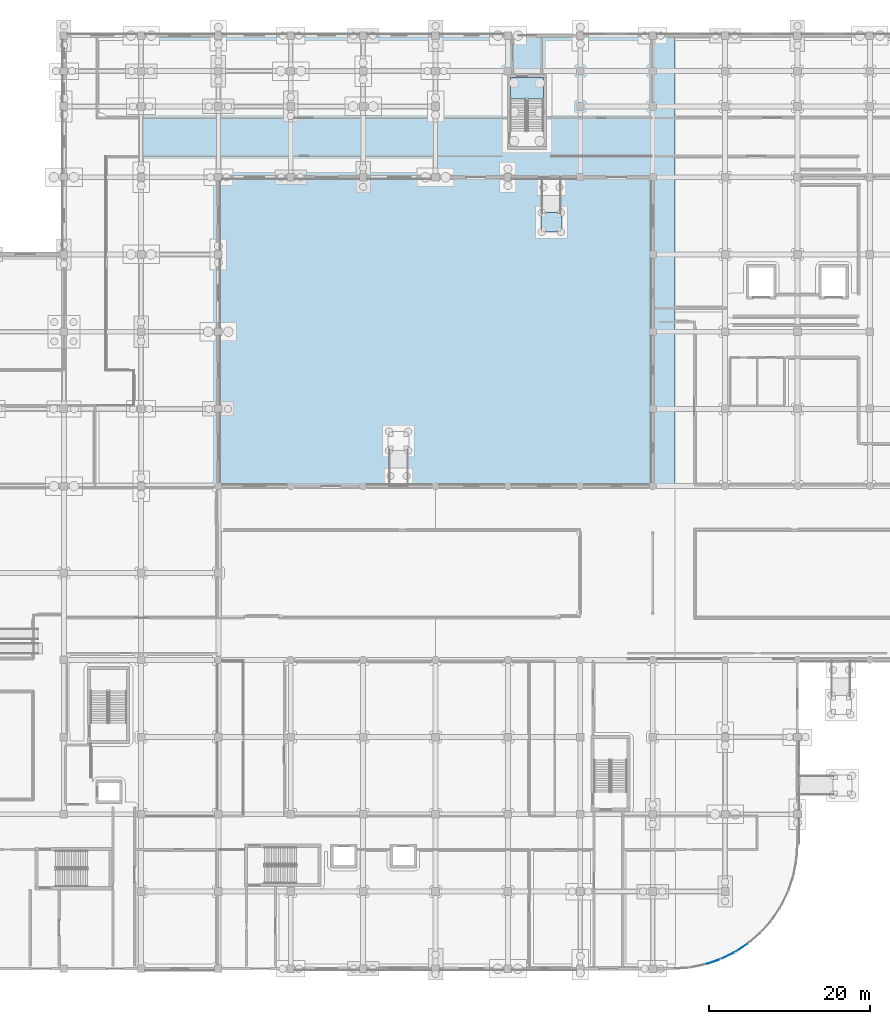
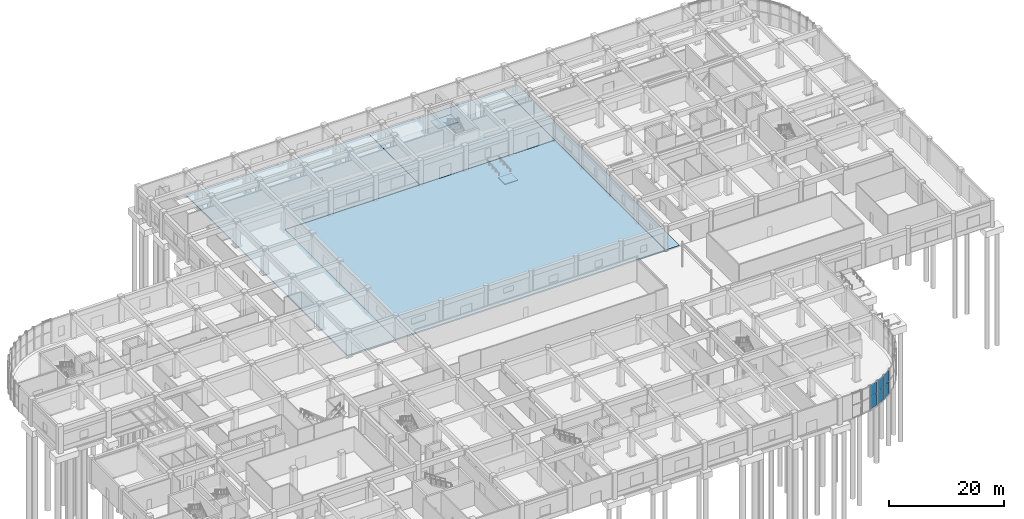
# One storey, part 22 of 74: 6 plates, 6 slabs, 5 elements without a shape of their own.
"""IFC4 building model written with IfcOpenShell, lengths in metres."""

from ifc_helpers import new_model, si_unit, direction, frame, origin, origin_2d, place, context, subcontext, project, spatial, polyline, rectangle, outline, extrude, material, layer, layer_set, type_object, element, aggregate, save


model = new_model("IFC4")

# Units and contexts
model_context = context("Model", 3, precision=1e-05, world=origin(), true_north=direction((0.0, 1.0)))
body_context = subcontext(model_context, "Body", "Model", "MODEL_VIEW")
ifc_project = project(units=[si_unit("LENGTHUNIT", "METRE"), si_unit("AREAUNIT", "SQUARE_METRE"), si_unit("VOLUMEUNIT", "CUBIC_METRE"), si_unit("PLANEANGLEUNIT", "RADIAN"), si_unit("MASSUNIT", "GRAM", prefix="KILO")], contexts=[model_context])

# Site, building, storey
site_placement = place(None, origin())
site = spatial("IfcSite", under=ifc_project, at=site_placement, CompositionType="ELEMENT")
building_placement = place(site_placement, origin())
building = spatial("IfcBuilding", under=site, at=building_placement, Name="Cendralis Terraced Arcade", CompositionType="ELEMENT")
storey_placement = place(building_placement, origin())
storey = spatial("IfcBuildingStorey", under=building, at=storey_placement, Name="L00", CompositionType="ELEMENT", Elevation=0.0)

# Curtain wall, plates
ifc_material_1 = material(Name="Anodised aluminium EN AW-6063 T6", Category="aluminium")
ifc_layer_1 = layer(ifc_material_1, 0.139892578125, Name="CW-STORE-A")
ifc_layer_set_1 = layer_set([ifc_layer_1], Name="Anodised aluminium EN AW-6063 T6")
curtain_wall_type = type_object("IfcCurtainWallType", Name="CW-STORE-A", PredefinedType="USERDEFINED", material=ifc_layer_set_1)
curtain_wall_1_placement = place(storey_placement, origin())
curtain_wall_1 = element("IfcCurtainWall", 1, at=curtain_wall_1_placement, inside=storey, type_object=curtain_wall_type, Name="Exterior Storefront Glazing CW-L00-0008", ObjectType="STOREFRONT GLAZING", PredefinedType="USERDEFINED")
ifc_material_2 = material(Name="Tempered solar control laminated glass", Category="glass")
ifc_layer_2 = layer(ifc_material_2, 0.028076171875, Name="CW-STORE-A-PNL")
ifc_layer_set_2 = layer_set([ifc_layer_2], Name="Tempered solar control laminated glass")
plate_type = type_object("IfcPlateType", Name="CW-STORE-A-PNL", PredefinedType="CURTAIN_PANEL", material=ifc_layer_set_2)
plate_1_placement = place(storey_placement, frame((132.29296875, 2.639892578125, 0.06005859375), z_axis=(0.0, 0.0, 1.0), x_axis=(-0.831483619587, -0.555549269065, 0.0)))
plate_1 = element("IfcPlate", 2, at=plate_1_placement, type_object=plate_type, Name="CW-S1 panel 1.1", PredefinedType="CURTAIN_PANEL", context=body_context, shape_type="SweptSolid", body=[
    extrude(rectangle(XDim=1.7275390625, YDim=0.028076171875, at=origin_2d()), origin(), (0.0, 0.0, 1.0), 2.556884765625),
])
plate_2_placement = place(storey_placement, frame((132.29296875, 2.639892578125, 2.6767578125), z_axis=(0.0, 0.0, 1.0), x_axis=(-0.831483619587, -0.555549269065, 0.0)))
plate_2 = element("IfcPlate", 3, at=plate_2_placement, type_object=plate_type, Name="CW-S1 panel 1.2", PredefinedType="CURTAIN_PANEL", context=body_context, shape_type="SweptSolid", body=[
    extrude(rectangle(XDim=1.7275390625, YDim=0.028076171875, at=origin_2d()), origin(), (0.0, 0.0, 1.0), 2.353271484375),
])
aggregate(curtain_wall_1, [plate_1, plate_2])

curtain_wall_2_placement = place(storey_placement, origin())
curtain_wall_2 = element("IfcCurtainWall", 4, at=curtain_wall_2_placement, inside=storey, type_object=curtain_wall_type, Name="Exterior Storefront Glazing CW-L00-0009", ObjectType="STOREFRONT GLAZING", PredefinedType="USERDEFINED")
plate_3_placement = place(storey_placement, frame((130.540771484375, 1.628173828125, 0.06005859375), z_axis=(0.0, 0.0, 1.0), x_axis=(-0.896881752867, -0.442270416572, 0.0)))
plate_3 = element("IfcPlate", 5, at=plate_3_placement, type_object=plate_type, Name="CW-S1 panel 1.1", PredefinedType="CURTAIN_PANEL", context=body_context, shape_type="SweptSolid", body=[
    extrude(rectangle(XDim=1.7275390625, YDim=0.028076171875, at=origin_2d()), origin(), (0.0, 0.0, 1.0), 2.556884765625),
])
plate_4_placement = place(storey_placement, frame((130.540771484375, 1.628173828125, 2.6767578125), z_axis=(0.0, 0.0, 1.0), x_axis=(-0.896881752867, -0.442270416572, 0.0)))
plate_4 = element("IfcPlate", 6, at=plate_4_placement, type_object=plate_type, Name="CW-S1 panel 1.2", PredefinedType="CURTAIN_PANEL", context=body_context, shape_type="SweptSolid", body=[
    extrude(rectangle(XDim=1.7275390625, YDim=0.028076171875, at=origin_2d()), origin(), (0.0, 0.0, 1.0), 2.353271484375),
])
aggregate(curtain_wall_2, [plate_3, plate_4])

curtain_wall_3_placement = place(storey_placement, origin())
curtain_wall_3 = element("IfcCurtainWall", 7, at=curtain_wall_3_placement, inside=storey, type_object=curtain_wall_type, Name="Exterior Storefront Glazing CW-L00-0010", ObjectType="STOREFRONT GLAZING", PredefinedType="USERDEFINED")
plate_5_placement = place(storey_placement, frame((128.671630859375, 0.85400390625, 0.06005859375), z_axis=(0.0, 0.0, 1.0), x_axis=(-0.946909571674, -0.32150002033, 0.0)))
plate_5 = element("IfcPlate", 8, at=plate_5_placement, type_object=plate_type, Name="CW-S1 panel 1.1", PredefinedType="CURTAIN_PANEL", context=body_context, shape_type="SweptSolid", body=[
    extrude(rectangle(XDim=1.7275390625, YDim=0.028076171875, at=origin_2d()), origin(), (0.0, 0.0, 1.0), 2.556884765625),
])
plate_6_placement = place(storey_placement, frame((128.671630859375, 0.85400390625, 2.6767578125), z_axis=(0.0, 0.0, 1.0), x_axis=(-0.946909571674, -0.32150002033, 0.0)))
plate_6 = element("IfcPlate", 9, at=plate_6_placement, type_object=plate_type, Name="CW-S1 panel 1.2", PredefinedType="CURTAIN_PANEL", context=body_context, shape_type="SweptSolid", body=[
    extrude(rectangle(XDim=1.7275390625, YDim=0.028076171875, at=origin_2d()), origin(), (0.0, 0.0, 1.0), 2.353271484375),
])
aggregate(curtain_wall_3, [plate_5, plate_6])

# Slabs
ifc_material_3 = material(Name="Concrete f'c 35 MPa", Category="concrete")
ifc_layer_3 = layer(ifc_material_3, 0.300048828125, Name="SLB-L00-300")
ifc_layer_set_3 = layer_set([ifc_layer_3], Name="Concrete f'c 35 MPa")
slab_type_1 = type_object("IfcSlabType", Name="SLB-L00-300", PredefinedType="FLOOR", material=ifc_layer_set_3)
slab_1_placement = place(storey_placement, frame((0.0, 0.0, -0.300048828125)))
element("IfcSlab", 10, at=slab_1_placement, inside=storey, type_object=slab_type_1, Name="Reinforced Concrete Floor Slab SLB-L00-V3-C1-1", PredefinedType="FLOOR", context=body_context, shape_type="SweptSolid", body=[
    extrude(outline(polyline([(67.199951171875, 98.39990234375), (67.199951171875, 60.02001953125), (57.6201171875, 60.02001953125), (57.6201171875, 116.0), (94.199951171875, 116.0), (94.199951171875, 98.39990234375), (67.199951171875, 98.39990234375)])), origin(), (0.0, 0.0, 1.0), 0.300048828125),
])
slab_2_placement = place(storey_placement, frame((0.0, 0.0, -0.300048828125)))
element("IfcSlab", 11, at=slab_2_placement, inside=storey, type_object=slab_type_1, Name="Reinforced Concrete Floor Slab SLB-L00-V3-C2-1", PredefinedType="FLOOR", context=body_context, shape_type="SweptSolid", body=[
    extrude(outline(polyline([(94.219970703125, 98.39990234375), (94.219970703125, 116.0), (121.199951171875, 116.0), (121.199951171875, 98.39990234375), (94.219970703125, 98.39990234375)])), origin(), (0.0, 0.0, 1.0), 0.300048828125),
])
slab_3_placement = place(storey_placement, frame((0.0, 0.0, -0.300048828125)))
element("IfcSlab", 12, at=slab_3_placement, inside=storey, type_object=slab_type_1, Name="Reinforced Concrete Floor Slab SLB-L00-V5-C2-1", PredefinedType="FLOOR", context=body_context, shape_type="SweptSolid", body=[
    extrude(outline(polyline([(124.0, 116.0), (124.0, 60.02001953125), (121.199951171875, 60.02001953125), (121.219970703125, 116.0), (124.0, 116.0)])), origin(), (0.0, 0.0, 1.0), 0.300048828125),
])
ifc_layer_4 = layer(ifc_material_3, 0.264892578125, Name="SLB-PAV-265")
ifc_layer_set_4 = layer_set([ifc_layer_4], Name="Concrete f'c 35 MPa")
slab_type_2 = type_object("IfcSlabType", Name="SLB-PAV-265", PredefinedType="FLOOR", material=ifc_layer_set_4)
slab_4_placement = place(storey_placement, frame((0.0, 0.0, -0.264892578125)))
element("IfcSlab", 13, at=slab_4_placement, inside=storey, type_object=slab_type_2, Name="Sunny Garden Court Grade Paving Base Slab", PredefinedType="FLOOR", context=body_context, shape_type="SweptSolid", body=[
    extrude(outline(polyline([(67.239990234375, 60.0400390625), (67.239990234375, 98.360107421875), (121.159912109375, 98.360107421875), (121.159912109375, 60.0400390625), (67.239990234375, 60.0400390625)])), origin(), (0.0, 0.0, 1.0), 0.264892578125),
])

# Ramp, slab
ramp_type = type_object("IfcRampType", Name="RMP-PED-2400", PredefinedType="STRAIGHT_RUN_RAMP", material=ifc_material_3)
ramp_placement = place(storey_placement, origin())
ramp = element("IfcRamp", 14, at=ramp_placement, inside=storey, type_object=ramp_type, Name="Accessible Pedestrian Central Court North Ramp RMP-05", PredefinedType="STRAIGHT_RUN_RAMP")
ifc_layer_5 = layer(ifc_material_3, 0.195068359375, Name="SLB-RAMP-LND-195")
ifc_layer_set_5 = layer_set([ifc_layer_5], Name="Concrete f'c 35 MPa")
slab_type_3 = type_object("IfcSlabType", Name="SLB-RAMP-LND-195", PredefinedType="LANDING", material=ifc_layer_set_5)
slab_5_placement = place(storey_placement, frame((0.0, 0.0, -0.554931640625)))
slab_5 = element("IfcSlab", 15, at=slab_5_placement, type_object=slab_type_3, Name="Accessible Pedestrian Central Court North Ramp RMP-05 landing 1", PredefinedType="LANDING", context=body_context, shape_type="SweptSolid", body=[
    extrude(outline(polyline([(107.300048828125, 91.60009765625), (109.89990234375, 91.60009765625), (109.89990234375, 94.0), (107.300048828125, 94.0), (107.300048828125, 91.60009765625)])), origin(), (0.0, 0.0, 1.0), 0.19482421875),
])
aggregate(ramp, [slab_5])

# Stair, slab
stair_type = type_object("IfcStairType", Name="STR-W195-H480", PredefinedType="HALF_TURN_STAIR", material=ifc_material_3)
stair_placement = place(storey_placement, origin())
stair = element("IfcStair", 16, at=stair_placement, inside=storey, type_object=stair_type, Name="L00 Protected Exit Stair ST-10", PredefinedType="HALF_TURN_STAIR")
ifc_layer_6 = layer(ifc_material_3, 0.199951171875, Name="SLB-STAIR-LND-200")
ifc_layer_set_6 = layer_set([ifc_layer_6], Name="Concrete f'c 35 MPa")
slab_type_4 = type_object("IfcSlabType", Name="SLB-STAIR-LND-200", PredefinedType="LANDING", material=ifc_layer_set_6)
slab_6_placement = place(storey_placement, frame((0.0, 0.0, 2.5)))
slab_6 = element("IfcSlab", 17, at=slab_6_placement, type_object=slab_type_4, Name="ST-10 landing 1", PredefinedType="LANDING", context=body_context, shape_type="SweptSolid", body=[
    extrude(outline(polyline([(107.60009765625, 108.139892578125), (107.60009765625, 110.800048828125), (103.5, 110.800048828125), (103.5, 108.139892578125), (107.60009765625, 108.139892578125)])), origin(), (0.0, 0.0, 1.0), 0.199951171875),
])
aggregate(stair, [slab_6])

save(model, "model.ifc")
